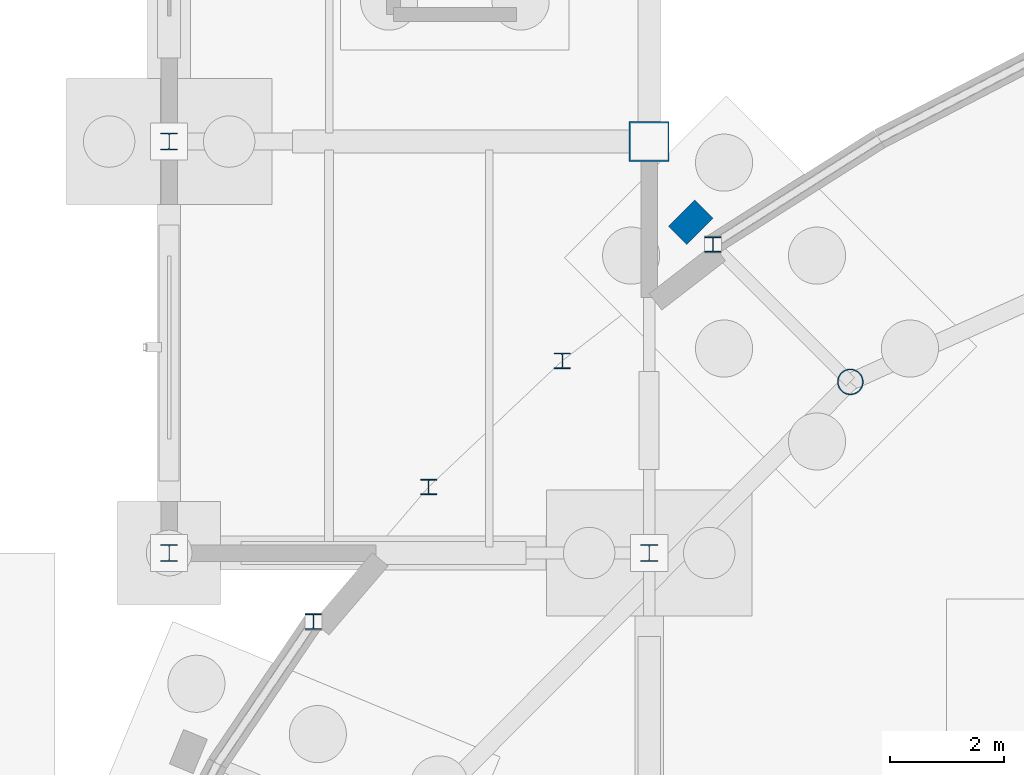
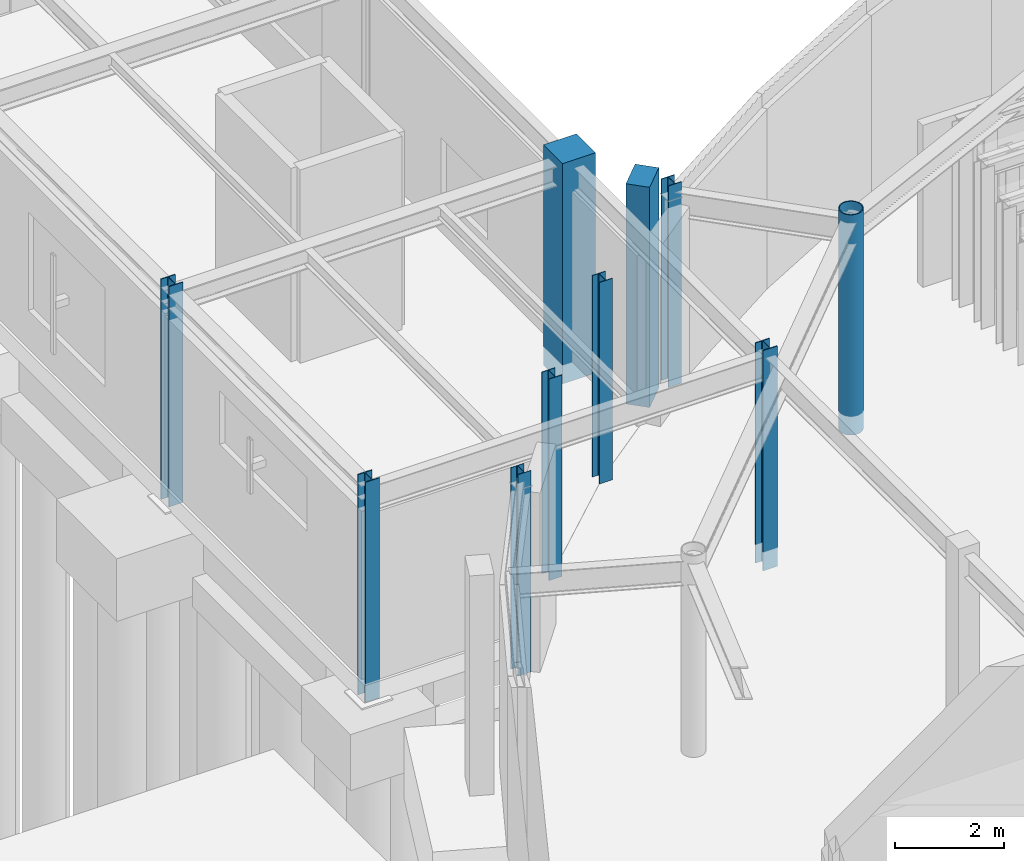
# One storey, part 19 of 93: 10 columns.
"""IFC4 building model written with IfcOpenShell, lengths in metres."""

from ifc_helpers import new_model, si_unit, derived_unit, direction, frame, origin, origin_2d, place, context, subcontext, project, spatial, rectangle, hollow_circle, i_section, extrude, material, material_profile, profile_set, type_object, element, save


model = new_model("IFC4")

# Units and contexts
model_context = context("Model", 3, precision=1e-05, world=origin(), true_north=direction((0.0, 1.0)))
body_context = subcontext(model_context, "Body", "Model", "MODEL_VIEW")
ifc_project = project(units=[si_unit("LENGTHUNIT", "METRE"), si_unit("AREAUNIT", "SQUARE_METRE"), si_unit("VOLUMEUNIT", "CUBIC_METRE"), si_unit("PLANEANGLEUNIT", "RADIAN"), si_unit("MASSUNIT", "GRAM", prefix="KILO"), derived_unit("THERMALTRANSMITTANCEUNIT", [(si_unit("MASSUNIT", "GRAM", prefix="KILO"), 1), (si_unit("TIMEUNIT", "SECOND"), -3), (si_unit("THERMODYNAMICTEMPERATUREUNIT", "KELVIN"), -1)])], contexts=[model_context])

# Site, building, storey
site_placement = place(None, origin())
site = spatial("IfcSite", under=ifc_project, at=site_placement, CompositionType="ELEMENT")
building_placement = place(site_placement, origin())
building = spatial("IfcBuilding", under=site, at=building_placement, Name="Kharveza Railside Sports Centre", CompositionType="ELEMENT")
storey_placement = place(building_placement, origin())
storey = spatial("IfcBuildingStorey", under=building, at=storey_placement, Name="L00", CompositionType="ELEMENT", Elevation=0.0)

# Columns
ifc_material_1 = material(Name="Concrete C35/45", Category="concrete")
ifc_material_profile_1 = material_profile(ifc_material_1, rectangle(XDim=0.699951171875, YDim=0.699951171875, at=origin_2d()), Name="RC 700x700")
ifc_profile_set_1 = profile_set([ifc_material_profile_1], Name="Concrete C35/45")
column_type_1 = type_object("IfcColumnType", Name="COL-RC01", PredefinedType="COLUMN", material=ifc_profile_set_1)
column_1_placement = place(storey_placement, frame((25.199951171875, 72.0, -0.419921875), z_axis=(0.0, 0.0, 1.0), x_axis=(1.0, 0.0, 0.0)))
element("IfcColumn", 1, at=column_1_placement, inside=storey, type_object=column_type_1, Name="COL-G-C19-X252-Y720-L00", PredefinedType="COLUMN", context=body_context, shape_type="SweptSolid", body=[
    extrude(rectangle(XDim=0.699951171875, YDim=0.699951171875, at=origin_2d()), origin(), (0.0, 0.0, 1.0), 4.919921875),
])
ifc_material_profile_2 = material_profile(ifc_material_1, rectangle(XDim=0.449951171875, YDim=0.64990234375, at=origin_2d()), Name="RC 450x650")
ifc_profile_set_2 = profile_set([ifc_material_profile_2], Name="Concrete C35/45")
column_type_2 = type_object("IfcColumnType", Name="COL-RC04", PredefinedType="PILASTER", material=ifc_profile_set_2)
column_2_placement = place(storey_placement, frame((25.9267578125, 70.587890625, -0.419921875), z_axis=(0.0, 0.0, 1.0), x_axis=(-0.707106781187, 0.707106781187, 0.0)))
element("IfcColumn", 2, at=column_2_placement, inside=storey, type_object=column_type_2, Name="COL-BUTT-07-L00", PredefinedType="PILASTER", context=body_context, shape_type="SweptSolid", body=[
    extrude(rectangle(XDim=0.449951171875, YDim=0.64990234375, at=origin_2d()), origin(), (0.0, 0.0, 1.0), 4.919921875),
])
ifc_material_2 = material(Name="Steel S355J2", Category="steel")
ifc_material_profile_3 = material_profile(ifc_material_2, i_section(OverallWidth=0.300048828125, OverallDepth=0.300048828125, WebThickness=0.010986328125, FlangeThickness=0.01904296875, FilletRadius=0.027099609375, at=origin_2d()), Name="HEB 300")
ifc_profile_set_3 = profile_set([ifc_material_profile_3], Name="Steel S355J2")
column_type_3 = type_object("IfcColumnType", Name="COL-S07", PredefinedType="COLUMN", material=ifc_profile_set_3)
for number, where, z_axis, x_axis, name in (
    (3, (16.800048828125, 64.800048828125, -0.419921875), (0.0, 0.0, 1.0), (1.0, 0.0, 0.0), "COL-G-C07-X168-Y648-L00"),
    (4, (16.800048828125, 72.0, -0.419921875), (0.0, 0.0, 1.0), (1.0, 0.0, 0.0), "COL-G-C07-X168-Y720-L00"),
    (5, (25.199951171875, 64.800048828125, -0.419921875), (0.0, 0.0, 1.0), (1.0, 0.0, 0.0), "COL-G-C07-X252-Y648-L00"),
):
    element("IfcColumn", number, at=place(storey_placement, frame(where, z_axis=z_axis, x_axis=x_axis)), inside=storey, type_object=column_type_3, Name=name, PredefinedType="COLUMN", context=body_context, shape_type="SweptSolid", body=[
        extrude(i_section(OverallWidth=0.300048828125, OverallDepth=0.300048828125, WebThickness=0.010986328125, FlangeThickness=0.01904296875, FilletRadius=0.027099609375, at=origin_2d()), origin(), (0.0, 0.0, 1.0), 4.919921875),
    ])
ifc_material_profile_4 = material_profile(ifc_material_2, i_section(OverallWidth=0.280029296875, OverallDepth=0.27001953125, WebThickness=0.008056640625, FlangeThickness=0.012939453125, FilletRadius=0.02392578125, at=origin_2d()), Name="HEA 280")
ifc_profile_set_4 = profile_set([ifc_material_profile_4], Name="Steel S355J2")
column_type_4 = type_object("IfcColumnType", Name="COL-S13", PredefinedType="COLUMN", material=ifc_profile_set_4)
for number, where, z_axis, x_axis, name in (
    (6, (26.315673828125, 70.198974609375, 0.0), (0.0, 0.0, 1.0), (1.0, 0.0, 0.0), "COL-DSILL-L00-26p32-70p2"),
    (7, (23.6796875, 68.1630859375, 0.0), (0.0, 0.0, 1.0), (1.0, 0.0, 0.0), "COL-DSILL-L00-23p68-68p16"),
    (8, (21.34130859375, 65.9560546875, 0.0), (0.0, 0.0, 1.0), (1.0, 0.0, 0.0), "COL-DSILL-L00-21p34-65p96"),
    (9, (19.3232421875, 63.59912109375, 0.0), (0.0, 0.0, 1.0), (1.0, 0.0, 0.0), "COL-DSILL-L00-19p32-63p6"),
):
    element("IfcColumn", number, at=place(storey_placement, frame(where, z_axis=z_axis, x_axis=x_axis)), inside=storey, type_object=column_type_4, Name=name, PredefinedType="COLUMN", context=body_context, shape_type="SweptSolid", body=[
        extrude(i_section(OverallWidth=0.280029296875, OverallDepth=0.27001953125, WebThickness=0.008056640625, FlangeThickness=0.012939453125, FilletRadius=0.02392578125, at=origin_2d()), origin(), (0.0, 0.0, 1.0), 4.5),
    ])
ifc_material_profile_5 = material_profile(ifc_material_2, hollow_circle(Radius=0.228515625, WallThickness=0.02001953125, at=origin_2d()), Name="CHS 457.0x20.0")
ifc_profile_set_5 = profile_set([ifc_material_profile_5], Name="Steel S355J2")
column_type_5 = type_object("IfcColumnType", Name="COL-T01", PredefinedType="COLUMN", material=ifc_profile_set_5)
column_3_placement = place(storey_placement, frame((28.719970703125, 67.794921875, -0.419921875), z_axis=(0.0, 0.0, 1.0), x_axis=(1.0, 0.0, 0.0)))
element("IfcColumn", 10, at=column_3_placement, inside=storey, type_object=column_type_5, Name="COL-DRUM-07-L00", PredefinedType="COLUMN", context=body_context, shape_type="SweptSolid", body=[
    extrude(hollow_circle(Radius=0.228515625, WallThickness=0.02001953125, at=origin_2d()), origin(), (0.0, 0.0, 1.0), 4.919921875),
])

save(model, "model.ifc")
